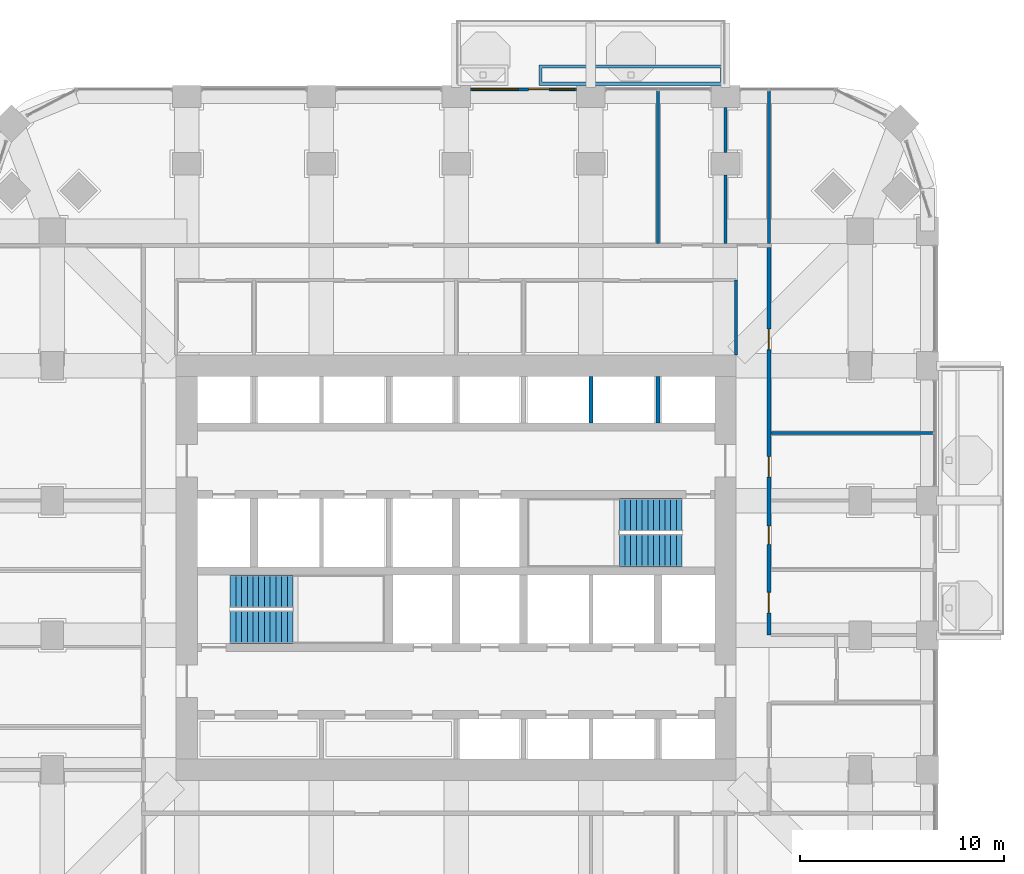
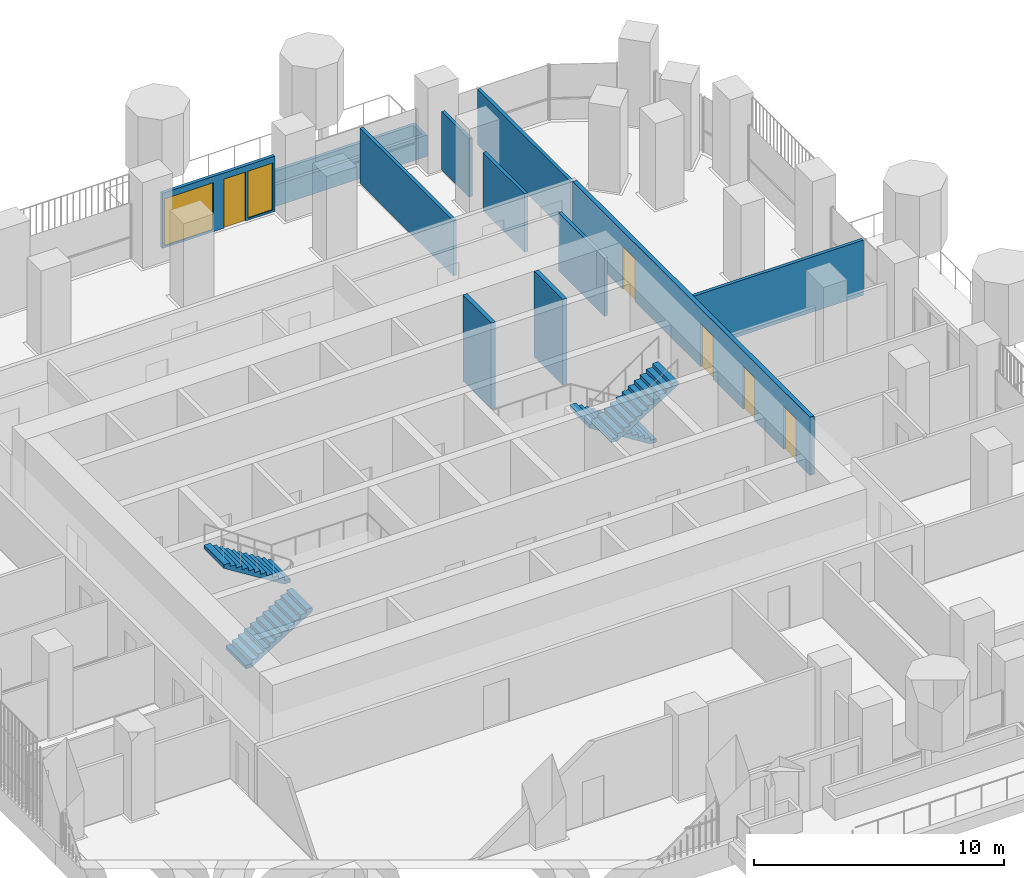
# One storey, part 17 of 22: 11 walls, 5 doors, 4 stair flights, 2 windows, 7 openings, 2 elements without a shape of their own.
"""IFC4 building model written with IfcOpenShell, lengths in metres."""

from ifc_helpers import new_model, si_unit, direction, frame, frame_2d, origin, place, context, subcontext, project, spatial, polyline, rectangle, outline, extrude, material, layer, layer_set, type_object, element, fill, aggregate, save


model = new_model("IFC4")

# Units and contexts
model_context = context("Model", 3, precision=1e-05, world=origin(), true_north=direction((0.0, 1.0)))
body_context = subcontext(model_context, "Body", "Model", "MODEL_VIEW")
ifc_project = project(units=[si_unit("LENGTHUNIT", "METRE"), si_unit("AREAUNIT", "SQUARE_METRE"), si_unit("VOLUMEUNIT", "CUBIC_METRE"), si_unit("PLANEANGLEUNIT", "RADIAN"), si_unit("MASSUNIT", "GRAM", prefix="KILO")], contexts=[model_context])

# Site, building, storey
site_placement = place(None, origin())
site = spatial("IfcSite", under=ifc_project, at=site_placement, CompositionType="ELEMENT")
building_placement = place(site_placement, origin())
building = spatial("IfcBuilding", under=site, at=building_placement, Name="Cobogo Forest Laboratory Tower", CompositionType="ELEMENT")
storey_placement = place(building_placement, frame((0.0, 0.0, 120.0)))
storey = spatial("IfcBuildingStorey", under=building, at=storey_placement, Name="L27", CompositionType="ELEMENT", Elevation=120.0)

# Wall, openings, door, windows
ifc_material_1 = material(Name="Aluminium framed glazed screen", Category="aluminium")
ifc_layer_1 = layer(ifc_material_1, 0.14990234375)
ifc_layer_set_1 = layer_set([ifc_layer_1], Name="GS1 glazed door screen 150")
wall_type_1 = type_object("IfcWallType", Name="GS1 glazed door screen 150", PredefinedType="SOLIDWALL", material=ifc_layer_set_1)
wall_1_placement = place(storey_placement, frame((32.300048828125, 46.550048828125, 0.0), z_axis=(0.0, 0.0, 1.0), x_axis=(-1.0, 0.0, 0.0)))
wall_1 = element("IfcWall", 1, at=wall_1_placement, inside=storey, type_object=wall_type_1, Name="Door screen BAL-N1 L27", PredefinedType="SOLIDWALL", context=body_context, shape_type="SweptSolid", body=[
    extrude(rectangle(XDim=5.199951171875, YDim=0.14990234375, at=frame_2d((2.60009765625, 0.0))), origin(), (0.0, 0.0, 1.0), 2.699951171875),
])
opening_1_placement = place(wall_1_placement, frame((1.35009765625, 0.0, 0.0)))
opening_1 = element("IfcOpeningElement", 2, at=opening_1_placement, cuts=wall_1, Name="Opening L27-D41", PredefinedType="OPENING", context=body_context, shape_type="SweptSolid", body=[
    extrude(rectangle(XDim=1.0, YDim=2.39990234375, at=frame_2d((0.5, 1.199951171875))), frame((0.0, 0.0849609375, 0.0), z_axis=(0.0, -1.0, 0.0), x_axis=(1.0, 0.0, 0.0)), (0.0, 0.0, 1.0), 0.169921875),
])
opening_2_placement = place(wall_1_placement, frame((0.10009765625, 0.0, 0.10009765625)))
opening_2 = element("IfcOpeningElement", 3, at=opening_2_placement, cuts=wall_1, Name="Opening L27-W08", PredefinedType="OPENING", context=body_context, shape_type="SweptSolid", body=[
    extrude(rectangle(XDim=1.14990234375, YDim=2.300048828125, at=frame_2d((0.574951171875, 1.14990234375))), frame((0.0, 0.0849609375, 0.0), z_axis=(0.0, -1.0, 0.0), x_axis=(1.0, 0.0, 0.0)), (0.0, 0.0, 1.0), 0.169921875),
])
opening_3_placement = place(wall_1_placement, frame((2.85009765625, 0.0, 0.10009765625)))
opening_3 = element("IfcOpeningElement", 4, at=opening_3_placement, cuts=wall_1, Name="Opening L27-W07", PredefinedType="OPENING", context=body_context, shape_type="SweptSolid", body=[
    extrude(rectangle(XDim=2.25, YDim=2.300048828125, at=frame_2d((1.125, 1.14990234375))), frame((0.0, 0.0849609375, 0.0), z_axis=(0.0, -1.0, 0.0), x_axis=(1.0, 0.0, 0.0)), (0.0, 0.0, 1.0), 0.169921875),
])
ifc_material_2 = material(Name="Aluminium glazed door", Category="aluminium")
door_type_1 = type_object("IfcDoorType", Name="DB1 balcony door 1000 glazed", OperationType="SINGLE_SWING_LEFT", PredefinedType="DOOR", material=ifc_material_2)
door_1_placement = place(opening_1_placement, origin())
door_1 = element("IfcDoor", 5, at=door_1_placement, inside=storey, type_object=door_type_1, Name="Door L27-BAL-N1", OperationType="SINGLE_SWING_LEFT", OverallHeight=2.39990234375, OverallWidth=1.0, PredefinedType="DOOR", context=body_context, shape_type="SweptSolid", body=[
    extrude(rectangle(XDim=1.0, YDim=2.39990234375, at=frame_2d((0.5, 1.199951171875))), frame((0.0, 0.02490234375, 0.0), z_axis=(0.0, -1.0, 0.0), x_axis=(1.0, 0.0, 0.0)), (0.0, 0.0, 1.0), 0.050048828125),
])
fill(opening_1, door_1)
ifc_material_3 = material(Name="Aluminium framed glazing", Category="aluminium")
window_type_1 = type_object("IfcWindowType", Name="WG15 fixed glazed light 2250x2300", PartitioningType="SINGLE_PANEL", PredefinedType="WINDOW", material=ifc_material_3)
window_1_placement = place(opening_3_placement, origin())
window_1 = element("IfcWindow", 6, at=window_1_placement, inside=storey, type_object=window_type_1, Name="Window L27-BAL-N1-2", OverallHeight=2.300048828125, OverallWidth=2.25, PartitioningType="SINGLE_PANEL", PredefinedType="WINDOW", context=body_context, shape_type="SweptSolid", body=[
    extrude(rectangle(XDim=2.25, YDim=2.300048828125, at=frame_2d((1.125, 1.14990234375))), frame((0.0, 0.030029296875, 0.0), z_axis=(0.0, -1.0, 0.0), x_axis=(1.0, 0.0, 0.0)), (0.0, 0.0, 1.0), 0.06005859375),
])
fill(opening_3, window_1)
window_type_2 = type_object("IfcWindowType", Name="WG16 fixed glazed light 1150x2300", PartitioningType="SINGLE_PANEL", PredefinedType="WINDOW", material=ifc_material_3)
window_2_placement = place(opening_2_placement, origin())
window_2 = element("IfcWindow", 7, at=window_2_placement, inside=storey, type_object=window_type_2, Name="Window L27-BAL-N1-1", OverallHeight=2.300048828125, OverallWidth=1.14990234375, PartitioningType="SINGLE_PANEL", PredefinedType="WINDOW", context=body_context, shape_type="SweptSolid", body=[
    extrude(rectangle(XDim=1.14990234375, YDim=2.300048828125, at=frame_2d((0.574951171875, 1.14990234375))), frame((0.0, 0.030029296875, 0.0), z_axis=(0.0, -1.0, 0.0), x_axis=(1.0, 0.0, 0.0)), (0.0, 0.0, 1.0), 0.06005859375),
])
fill(opening_2, window_2)

# Walls
ifc_material_4 = material(Name="Gypsum board on steel studs", Category="steel")
ifc_layer_2 = layer(ifc_material_4, 0.14990234375)
ifc_layer_set_2 = layer_set([ifc_layer_2], Name="PT1 laboratory partition 150")
wall_type_2 = type_object("IfcWallType", Name="PT1 laboratory partition 150", PredefinedType="PARTITIONING", material=ifc_layer_set_2)
wall_2_placement = place(storey_placement, frame((40.125, 33.52490234375, 0.0), z_axis=(0.0, 0.0, 1.0), x_axis=(0.0, 1.0, 0.0)))
element("IfcWall", 8, at=wall_2_placement, inside=storey, type_object=wall_type_2, Name="Partition CSTRIP-NE L27", PredefinedType="PARTITIONING", context=body_context, shape_type="SweptSolid", body=[
    extrude(rectangle(XDim=3.675048828125, YDim=0.14990234375, at=frame_2d((1.83740234375, 0.0))), origin(), (0.0, 0.0, 1.0), 2.85009765625),
])
wall_3_placement = place(storey_placement, frame((41.72509765625, 46.469970703125, 0.0), z_axis=(0.0, 0.0, 1.0), x_axis=(0.0, -1.0, 0.0)))
element("IfcWall", 9, at=wall_3_placement, inside=storey, type_object=wall_type_2, Name="Partition PW-NE L27", PredefinedType="PARTITIONING", context=body_context, shape_type="SweptSolid", body=[
    extrude(rectangle(XDim=7.469970703125, YDim=0.14990234375, at=frame_2d((3.73486328125, 0.0))), origin(), (0.0, 0.0, 1.0), 2.699951171875),
])
wall_4_placement = place(storey_placement, frame((49.77001953125, 29.699951171875, 0.0), z_axis=(0.0, 0.0, 1.0), x_axis=(-1.0, 0.0, 0.0)))
element("IfcWall", 10, at=wall_4_placement, inside=storey, type_object=wall_type_2, Name="Partition CUT-E29.7-1 L27", PredefinedType="PARTITIONING", context=body_context, shape_type="SweptSolid", body=[
    extrude(rectangle(XDim=7.945068359375, YDim=0.14990234375, at=frame_2d((3.97265625, 0.0))), origin(), (0.0, 0.0, 1.0), 2.699951171875),
])
wall_5_placement = place(storey_placement, frame((36.300048828125, 46.469970703125, 0.0), z_axis=(0.0, 0.0, 1.0), x_axis=(0.0, -1.0, 0.0)))
element("IfcWall", 11, at=wall_5_placement, inside=storey, type_object=wall_type_2, Name="Partition CUT-N36.3-1 L27", PredefinedType="PARTITIONING", context=body_context, shape_type="SweptSolid", body=[
    extrude(rectangle(XDim=7.469970703125, YDim=0.14990234375, at=frame_2d((3.73486328125, 0.0))), origin(), (0.0, 0.0, 1.0), 2.699951171875),
])
wall_6_placement = place(storey_placement, frame((39.60009765625, 45.64990234375, 0.0), z_axis=(0.0, 0.0, 1.0), x_axis=(0.0, -1.0, 0.0)))
element("IfcWall", 12, at=wall_6_placement, inside=storey, type_object=wall_type_2, Name="Partition CUT-N39.6-1 L27", PredefinedType="PARTITIONING", context=body_context, shape_type="SweptSolid", body=[
    extrude(rectangle(XDim=2.199951171875, YDim=0.14990234375, at=frame_2d((1.10009765625, 0.0))), origin(), (0.0, 0.0, 1.0), 2.85009765625),
])
wall_7_placement = place(storey_placement, frame((39.60009765625, 42.35009765625, 0.0), z_axis=(0.0, 0.0, 1.0), x_axis=(0.0, -1.0, 0.0)))
element("IfcWall", 13, at=wall_7_placement, inside=storey, type_object=wall_type_2, Name="Partition CUT-N39.6-2 L27", PredefinedType="PARTITIONING", context=body_context, shape_type="SweptSolid", body=[
    extrude(rectangle(XDim=3.35009765625, YDim=0.14990234375, at=frame_2d((1.675048828125, 0.0))), origin(), (0.0, 0.0, 1.0), 2.85009765625),
])

# Wall, openings, doors
ifc_layer_3 = layer(ifc_material_4, 0.199951171875)
ifc_layer_set_3 = layer_set([ifc_layer_3], Name="PT2 fire-rated corridor partition 200")
wall_type_3 = type_object("IfcWallType", Name="PT2 fire-rated corridor partition 200", PredefinedType="PARTITIONING", material=ifc_layer_set_3)
wall_8_placement = place(storey_placement, frame((41.72509765625, 19.800048828125, 0.0), z_axis=(0.0, 0.0, 1.0), x_axis=(0.0, 1.0, 0.0)))
wall_8 = element("IfcWall", 14, at=wall_8_placement, inside=storey, type_object=wall_type_3, Name="Partition CORR-E-2 L27", PredefinedType="PARTITIONING", context=body_context, shape_type="SweptSolid", body=[
    extrude(rectangle(XDim=19.0, YDim=0.199951171875, at=frame_2d((9.5, 0.0))), origin(), (0.0, 0.0, 1.0), 2.85009765625),
])
opening_4_placement = place(wall_8_placement, frame((1.10009765625, 0.0, 0.0)))
opening_4 = element("IfcOpeningElement", 15, at=opening_4_placement, cuts=wall_8, Name="Opening L27-D23", PredefinedType="OPENING", context=body_context, shape_type="SweptSolid", body=[
    extrude(rectangle(XDim=1.0, YDim=2.10009765625, at=frame_2d((0.5, 1.050048828125))), frame((0.0, 0.10986328125, 0.0), z_axis=(0.0, -1.0, 0.0), x_axis=(1.0, 0.0, 0.0)), (0.0, 0.0, 1.0), 0.219970703125),
])
opening_5_placement = place(wall_8_placement, frame((4.449951171875, 0.0, 0.0)))
opening_5 = element("IfcOpeningElement", 16, at=opening_5_placement, cuts=wall_8, Name="Opening L27-D27", PredefinedType="OPENING", context=body_context, shape_type="SweptSolid", body=[
    extrude(rectangle(XDim=0.89990234375, YDim=2.10009765625, at=frame_2d((0.449951171875, 1.050048828125))), frame((0.0, 0.10986328125, 0.0), z_axis=(0.0, -1.0, 0.0), x_axis=(1.0, 0.0, 0.0)), (0.0, 0.0, 1.0), 0.219970703125),
])
opening_6_placement = place(wall_8_placement, frame((7.75, 0.0, 0.0)))
opening_6 = element("IfcOpeningElement", 17, at=opening_6_placement, cuts=wall_8, Name="Opening L27-D29", PredefinedType="OPENING", context=body_context, shape_type="SweptSolid", body=[
    extrude(rectangle(XDim=1.0, YDim=2.10009765625, at=frame_2d((0.5, 1.050048828125))), frame((0.0, 0.10986328125, 0.0), z_axis=(0.0, -1.0, 0.0), x_axis=(1.0, 0.0, 0.0)), (0.0, 0.0, 1.0), 0.219970703125),
])
opening_7_placement = place(wall_8_placement, frame((14.0, 0.0, 0.0)))
opening_7 = element("IfcOpeningElement", 18, at=opening_7_placement, cuts=wall_8, Name="Opening L27-D33", PredefinedType="OPENING", context=body_context, shape_type="SweptSolid", body=[
    extrude(rectangle(XDim=1.0, YDim=2.10009765625, at=frame_2d((0.5, 1.050048828125))), frame((0.0, 0.10986328125, 0.0), z_axis=(0.0, -1.0, 0.0), x_axis=(1.0, 0.0, 0.0)), (0.0, 0.0, 1.0), 0.219970703125),
])
ifc_material_5 = material(Name="Steel fire door", Category="steel")
door_type_2 = type_object("IfcDoorType", Name="FD1 fire door 1000 EI2 60", OperationType="SINGLE_SWING_LEFT", PredefinedType="DOOR", material=ifc_material_5)
door_2_placement = place(opening_4_placement, origin())
door_2 = element("IfcDoor", 19, at=door_2_placement, inside=storey, type_object=door_type_2, Name="Door L27-ELEC", OperationType="SINGLE_SWING_LEFT", OverallHeight=2.10009765625, OverallWidth=1.0, PredefinedType="DOOR", context=body_context, shape_type="SweptSolid", body=[
    extrude(rectangle(XDim=1.0, YDim=2.10009765625, at=frame_2d((0.5, 1.050048828125))), frame((0.0, 0.02490234375, 0.0), z_axis=(0.0, -1.0, 0.0), x_axis=(1.0, 0.0, 0.0)), (0.0, 0.0, 1.0), 0.050048828125),
])
fill(opening_4, door_2)
ifc_material_6 = material(Name="Timber fire door", Category="wood")
door_type_3 = type_object("IfcDoorType", Name="FD2 fire door 1000 EI2 30", OperationType="SINGLE_SWING_LEFT", PredefinedType="DOOR", material=ifc_material_6)
door_3_placement = place(opening_6_placement, origin())
door_3 = element("IfcDoor", 20, at=door_3_placement, inside=storey, type_object=door_type_3, Name="Door L27-E3", OperationType="SINGLE_SWING_LEFT", OverallHeight=2.10009765625, OverallWidth=1.0, PredefinedType="DOOR", context=body_context, shape_type="SweptSolid", body=[
    extrude(rectangle(XDim=1.0, YDim=2.10009765625, at=frame_2d((0.5, 1.050048828125))), frame((0.0, 0.02490234375, 0.0), z_axis=(0.0, -1.0, 0.0), x_axis=(1.0, 0.0, 0.0)), (0.0, 0.0, 1.0), 0.050048828125),
])
fill(opening_6, door_3)
door_4_placement = place(opening_7_placement, origin())
door_4 = element("IfcDoor", 21, at=door_4_placement, inside=storey, type_object=door_type_3, Name="Door L27-E4", OperationType="SINGLE_SWING_RIGHT", OverallHeight=2.10009765625, OverallWidth=1.0, PredefinedType="DOOR", context=body_context, shape_type="SweptSolid", body=[
    extrude(rectangle(XDim=1.0, YDim=2.10009765625, at=frame_2d((0.5, 1.050048828125))), frame((0.0, 0.02490234375, 0.0), z_axis=(0.0, -1.0, 0.0), x_axis=(1.0, 0.0, 0.0)), (0.0, 0.0, 1.0), 0.050048828125),
])
fill(opening_7, door_4)
door_type_4 = type_object("IfcDoorType", Name="FD4 riser access door 900 EI2 60", OperationType="SINGLE_SWING_LEFT", PredefinedType="DOOR", material=ifc_material_5)
door_5_placement = place(opening_5_placement, origin())
door_5 = element("IfcDoor", 22, at=door_5_placement, inside=storey, type_object=door_type_4, Name="Door L27-COMMS", OperationType="SINGLE_SWING_LEFT", OverallHeight=2.10009765625, OverallWidth=0.89990234375, PredefinedType="DOOR", context=body_context, shape_type="SweptSolid", body=[
    extrude(rectangle(XDim=0.89990234375, YDim=2.10009765625, at=frame_2d((0.449951171875, 1.050048828125))), frame((0.0, 0.02490234375, 0.0), z_axis=(0.0, -1.0, 0.0), x_axis=(1.0, 0.0, 0.0)), (0.0, 0.0, 1.0), 0.050048828125),
])
fill(opening_5, door_5)

# Walls
ifc_material_7 = material(Name="Concrete HA-40 (C40/50)", Category="concrete")
ifc_layer_4 = layer(ifc_material_7, 0.14990234375)
ifc_layer_set_4 = layer_set([ifc_layer_4], Name="Planter box 1000x1050")
wall_type_4 = type_object("IfcWallType", Name="Planter box 1000x1050", PredefinedType="USERDEFINED", material=ifc_layer_set_4)
wall_9_placement = place(storey_placement, origin())
element("IfcWall", 23, at=wall_9_placement, inside=storey, type_object=wall_type_4, Name="Planter BAL-N1-2 L27", ObjectType="PLANTER", PredefinedType="USERDEFINED", context=body_context, shape_type="SweptSolid", body=[
    extrude(outline(polyline([(30.449951171875, 46.75), (39.5, 46.75), (39.5, 47.75), (30.449951171875, 47.75), (30.449951171875, 46.75)]), holes=[polyline([(30.60009765625, 46.89990234375), (39.35009765625, 46.89990234375), (39.35009765625, 47.60009765625), (30.60009765625, 47.60009765625), (30.60009765625, 46.89990234375)])]), origin(), (0.0, 0.0, 1.0), 1.050048828125),
])
ifc_material_8 = material(Name="Concrete block", Category="concrete")
ifc_layer_5 = layer(ifc_material_8, 0.199951171875)
ifc_layer_set_5 = layer_set([ifc_layer_5], Name="SW200 lift shaft separator 200")
wall_type_5 = type_object("IfcWallType", Name="SW200 lift shaft separator 200", PredefinedType="PARTITIONING", material=ifc_layer_set_5)
for number, where, z_axis, x_axis, name in (
    (24, (33.0, 30.199951171875, 0.0), (0.0, 0.0, 1.0), (0.0, 1.0, 0.0), "Core wall SEP-N6 L27"),
    (25, (36.300048828125, 30.199951171875, 0.0), (0.0, 0.0, 1.0), (0.0, 1.0, 0.0), "Core wall SEP-N7 L27"),
):
    element("IfcWall", number, at=place(storey_placement, frame(where, z_axis=z_axis, x_axis=x_axis)), inside=storey, type_object=wall_type_5, Name=name, PredefinedType="PARTITIONING", context=body_context, shape_type="SweptSolid", body=[
        extrude(rectangle(XDim=2.275146484375, YDim=0.199951171875, at=frame_2d((1.1376953125, 0.0))), origin(), (0.0, 0.0, 1.0), 4.199951171875),
    ])

# Stair, stair flights
ifc_material_9 = material(Name="Precast concrete HA-40 (C40/50)", Category="concrete")
stair_type = type_object("IfcStairType", Name="ST24 exit stair 24 risers", PredefinedType="HALF_TURN_STAIR", material=ifc_material_9)
stair_1_placement = place(storey_placement, origin())
stair_1 = element("IfcStair", 26, at=stair_1_placement, inside=storey, type_object=stair_type, Name="Stair 1 L27 to L28", PredefinedType="HALF_TURN_STAIR")
stair_flight_type = type_object("IfcStairFlightType", Name="ST stair flight 280 going", PredefinedType="STRAIGHT", material=ifc_material_9)
stair_flight_1_placement = place(storey_placement, frame((15.324951171875, 20.199951171875, 0.0), z_axis=(0.0, 0.0, 1.0), x_axis=(1.0, 0.0, 0.0)))
stair_flight_1 = element("IfcStairFlight", 27, at=stair_flight_1_placement, type_object=stair_flight_type, Name="ST1 flight 1", NumberOfRisers=12, NumberOfTreads=11, PredefinedType="STRAIGHT", RiserHeight=0.175, TreadLength=0.28, context=body_context, shape_type="SweptSolid", body=[
    extrude(outline(polyline([(0.0, 0.0), (0.0, 0.175048828125), (0.280029296875, 0.175048828125), (0.280029296875, 0.35009765625), (0.56005859375, 0.35009765625), (0.56005859375, 0.52490234375), (0.840087890625, 0.52490234375), (0.840087890625, 0.699951171875), (1.1201171875, 0.699951171875), (1.1201171875, 0.875), (1.39990234375, 0.875), (1.39990234375, 1.050048828125), (1.679931640625, 1.050048828125), (1.679931640625, 1.22509765625), (1.9599609375, 1.22509765625), (1.9599609375, 1.39990234375), (2.239990234375, 1.39990234375), (2.239990234375, 1.574951171875), (2.52001953125, 1.574951171875), (2.52001953125, 1.75), (2.800048828125, 1.75), (2.800048828125, 1.925048828125), (3.080078125, 1.925048828125), (3.080078125, 2.10009765625), (3.080078125, 1.748291015625), (0.28271484375, 0.0), (0.0, 0.0)])), frame((0.0, 0.800048828125, 0.0), z_axis=(0.0, -1.0, 0.0), x_axis=(1.0, 0.0, 0.0)), (0.0, 0.0, 1.0), 1.60009765625),
])
stair_flight_2_placement = place(storey_placement, frame((18.405029296875, 21.949951171875, 2.10009765625), z_axis=(0.0, 0.0, 1.0), x_axis=(-1.0, 0.0, 0.0)))
stair_flight_2 = element("IfcStairFlight", 28, at=stair_flight_2_placement, type_object=stair_flight_type, Name="ST1 flight 2", NumberOfRisers=12, NumberOfTreads=11, PredefinedType="STRAIGHT", RiserHeight=0.175, TreadLength=0.28, context=body_context, shape_type="SweptSolid", body=[
    extrude(outline(polyline([(0.0, 0.0), (0.0, 0.175048828125), (0.280029296875, 0.175048828125), (0.280029296875, 0.35009765625), (0.56005859375, 0.35009765625), (0.56005859375, 0.52490234375), (0.840087890625, 0.52490234375), (0.840087890625, 0.699951171875), (1.1201171875, 0.699951171875), (1.1201171875, 0.875), (1.39990234375, 0.875), (1.39990234375, 1.050048828125), (1.679931640625, 1.050048828125), (1.679931640625, 1.22509765625), (1.9599609375, 1.22509765625), (1.9599609375, 1.39990234375), (2.239990234375, 1.39990234375), (2.239990234375, 1.574951171875), (2.52001953125, 1.574951171875), (2.52001953125, 1.75), (2.800048828125, 1.75), (2.800048828125, 1.925048828125), (3.080078125, 1.925048828125), (3.080078125, 2.10009765625), (3.080078125, 1.748291015625), (0.28271484375, 0.0), (0.0, 0.0)])), frame((0.0, 0.800048828125, 0.0), z_axis=(0.0, -1.0, 0.0), x_axis=(1.0, 0.0, 0.0)), (0.0, 0.0, 1.0), 1.60009765625),
])
aggregate(stair_1, [stair_flight_1, stair_flight_2])

stair_2_placement = place(storey_placement, origin())
stair_2 = element("IfcStair", 29, at=stair_2_placement, inside=storey, type_object=stair_type, Name="Stair 2 L27 to L28", PredefinedType="HALF_TURN_STAIR")
stair_flight_3_placement = place(storey_placement, frame((37.47509765625, 25.699951171875, 0.0), z_axis=(0.0, 0.0, 1.0), x_axis=(-1.0, 0.0, 0.0)))
stair_flight_3 = element("IfcStairFlight", 30, at=stair_flight_3_placement, type_object=stair_flight_type, Name="ST2 flight 1", NumberOfRisers=12, NumberOfTreads=11, PredefinedType="STRAIGHT", RiserHeight=0.175, TreadLength=0.28, context=body_context, shape_type="SweptSolid", body=[
    extrude(outline(polyline([(0.0, 0.0), (0.0, 0.175048828125), (0.280029296875, 0.175048828125), (0.280029296875, 0.35009765625), (0.56005859375, 0.35009765625), (0.56005859375, 0.52490234375), (0.840087890625, 0.52490234375), (0.840087890625, 0.699951171875), (1.1201171875, 0.699951171875), (1.1201171875, 0.875), (1.39990234375, 0.875), (1.39990234375, 1.050048828125), (1.679931640625, 1.050048828125), (1.679931640625, 1.22509765625), (1.9599609375, 1.22509765625), (1.9599609375, 1.39990234375), (2.239990234375, 1.39990234375), (2.239990234375, 1.574951171875), (2.52001953125, 1.574951171875), (2.52001953125, 1.75), (2.800048828125, 1.75), (2.800048828125, 1.925048828125), (3.080078125, 1.925048828125), (3.080078125, 2.10009765625), (3.080078125, 1.748291015625), (0.28271484375, 0.0), (0.0, 0.0)])), frame((0.0, 0.800048828125, 0.0), z_axis=(0.0, -1.0, 0.0), x_axis=(1.0, 0.0, 0.0)), (0.0, 0.0, 1.0), 1.60009765625),
])
stair_flight_4_placement = place(storey_placement, frame((34.39501953125, 23.949951171875, 2.10009765625), z_axis=(0.0, 0.0, 1.0), x_axis=(1.0, 0.0, 0.0)))
stair_flight_4 = element("IfcStairFlight", 31, at=stair_flight_4_placement, type_object=stair_flight_type, Name="ST2 flight 2", NumberOfRisers=12, NumberOfTreads=11, PredefinedType="STRAIGHT", RiserHeight=0.175, TreadLength=0.28, context=body_context, shape_type="SweptSolid", body=[
    extrude(outline(polyline([(0.0, 0.0), (0.0, 0.175048828125), (0.280029296875, 0.175048828125), (0.280029296875, 0.35009765625), (0.56005859375, 0.35009765625), (0.56005859375, 0.52490234375), (0.840087890625, 0.52490234375), (0.840087890625, 0.699951171875), (1.1201171875, 0.699951171875), (1.1201171875, 0.875), (1.39990234375, 0.875), (1.39990234375, 1.050048828125), (1.679931640625, 1.050048828125), (1.679931640625, 1.22509765625), (1.9599609375, 1.22509765625), (1.9599609375, 1.39990234375), (2.239990234375, 1.39990234375), (2.239990234375, 1.574951171875), (2.52001953125, 1.574951171875), (2.52001953125, 1.75), (2.800048828125, 1.75), (2.800048828125, 1.925048828125), (3.080078125, 1.925048828125), (3.080078125, 2.10009765625), (3.080078125, 1.748291015625), (0.28271484375, 0.0), (0.0, 0.0)])), frame((0.0, 0.800048828125, 0.0), z_axis=(0.0, -1.0, 0.0), x_axis=(1.0, 0.0, 0.0)), (0.0, 0.0, 1.0), 1.60009765625),
])
aggregate(stair_2, [stair_flight_3, stair_flight_4])

save(model, "model.ifc")
